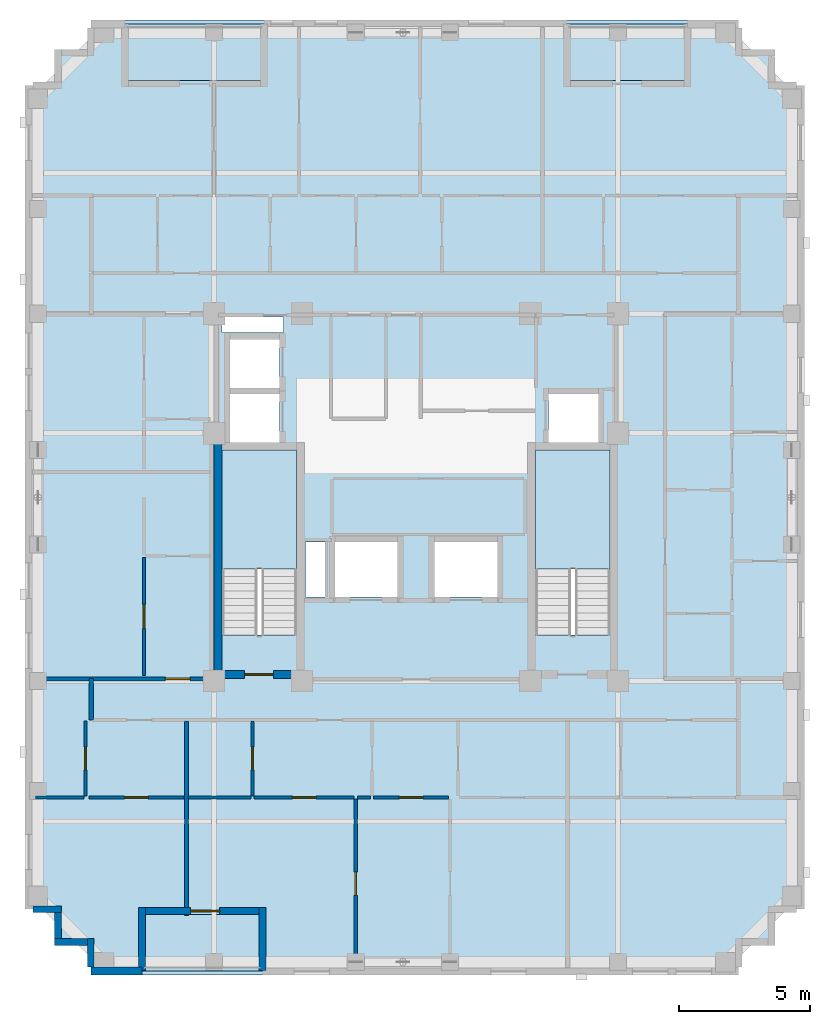
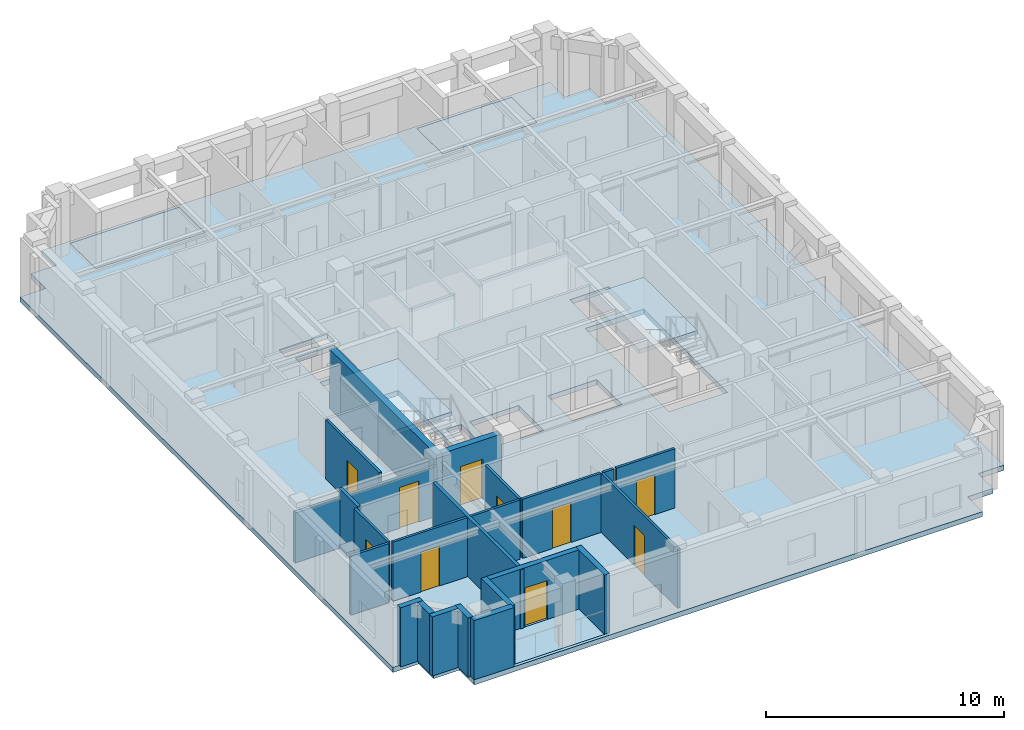
# One storey, part 2 of 10: 23 walls, 10 doors, 6 slabs, 10 openings, 2 elements without a shape of their own.
"""IFC4 building model written with IfcOpenShell, lengths in metres."""

from ifc_helpers import new_model, si_unit, derived_unit, direction, frame, frame_2d, origin, place, context, subcontext, project, spatial, polyline, rectangle, outline, extrude, material, layer, layer_set, type_object, element, fill, aggregate, save


model = new_model("IFC4")

# Units and contexts
model_context = context("Model", 3, precision=1e-05, world=origin(), true_north=direction((0.0, 1.0)))
body_context = subcontext(model_context, "Body", "Model", "MODEL_VIEW")
ifc_project = project(units=[si_unit("LENGTHUNIT", "METRE"), si_unit("AREAUNIT", "SQUARE_METRE"), si_unit("VOLUMEUNIT", "CUBIC_METRE"), si_unit("PLANEANGLEUNIT", "RADIAN"), si_unit("MASSUNIT", "GRAM", prefix="KILO"), derived_unit("THERMALTRANSMITTANCEUNIT", [(si_unit("MASSUNIT", "GRAM", prefix="KILO"), 1), (si_unit("TIMEUNIT", "SECOND"), -3), (si_unit("THERMODYNAMICTEMPERATUREUNIT", "KELVIN"), -1)])], contexts=[model_context])

# Site, building, storey
site_placement = place(None, origin())
site = spatial("IfcSite", under=ifc_project, at=site_placement, CompositionType="ELEMENT")
building_placement = place(site_placement, origin())
building = spatial("IfcBuilding", under=site, at=building_placement, Name="Korrvale Station Residences", CompositionType="ELEMENT")
storey_placement = place(building_placement, frame((0.0, 0.0, 207.39990234375)))
storey = spatial("IfcBuildingStorey", under=building, at=storey_placement, Name="L60", CompositionType="ELEMENT", Elevation=207.39990234375)

# Slabs
ifc_material_1 = material(Name="Concrete C50/60", Category="concrete")
ifc_layer_1 = layer(ifc_material_1, 0.219970703125, Name="Concrete C50/60")
ifc_layer_set_1 = layer_set([ifc_layer_1], Name="Concrete C50/60")
slab_type_1 = type_object("IfcSlabType", Name="SLB-BAL-220", PredefinedType="FLOOR", material=ifc_layer_set_1)
slab_1_placement = place(storey_placement, frame((0.0, 0.0, -0.219970703125)))
element("IfcSlab", 1, at=slab_1_placement, inside=storey, type_object=slab_type_1, Name="L60 Recessed Loggia Balcony Slab BAL-L60-S1", PredefinedType="FLOOR", context=body_context, shape_type="SweptSolid", body=[
    extrude(outline(polyline([(15.050048828125, 3.949951171875), (19.64990234375, 3.949951171875), (19.64990234375, 6.10009765625), (15.050048828125, 6.10009765625), (15.050048828125, 3.949951171875)])), origin(), (0.0, 0.0, 1.0), 0.219970703125),
])
slab_2_placement = place(storey_placement, frame((0.0, 0.0, -0.219970703125)))
element("IfcSlab", 2, at=slab_2_placement, inside=storey, type_object=slab_type_1, Name="L60 Recessed Loggia Balcony Slab BAL-L60-N1", PredefinedType="FLOOR", context=body_context, shape_type="SweptSolid", body=[
    extrude(outline(polyline([(31.25, 37.89990234375), (35.85009765625, 37.89990234375), (35.85009765625, 40.050048828125), (31.25, 40.050048828125), (31.25, 37.89990234375)])), origin(), (0.0, 0.0, 1.0), 0.219970703125),
])
slab_3_placement = place(storey_placement, frame((0.0, 0.0, -0.219970703125)))
element("IfcSlab", 3, at=slab_3_placement, inside=storey, type_object=slab_type_1, Name="L60 Recessed Loggia Balcony Slab BAL-L60-N2", PredefinedType="FLOOR", context=body_context, shape_type="SweptSolid", body=[
    extrude(outline(polyline([(14.39990234375, 37.89990234375), (19.699951171875, 37.89990234375), (19.699951171875, 40.050048828125), (14.39990234375, 40.050048828125), (14.39990234375, 37.89990234375)])), origin(), (0.0, 0.0, 1.0), 0.219970703125),
])
ifc_layer_2 = layer(ifc_material_1, 0.260009765625, Name="Concrete C50/60")
ifc_layer_set_2 = layer_set([ifc_layer_2], Name="Concrete C50/60")
slab_type_2 = type_object("IfcSlabType", Name="SLB-FLR-260", PredefinedType="FLOOR", material=ifc_layer_set_2)
slab_4_placement = place(storey_placement, frame((0.0, 0.0, -0.260009765625)))
element("IfcSlab", 4, at=slab_4_placement, inside=storey, type_object=slab_type_2, Name="L60 Suspended Structural Floor Slab", PredefinedType="FLOOR", context=body_context, shape_type="SweptSolid", body=[
    extrude(outline(polyline([(13.10009765625, 3.800048828125), (37.800048828125, 3.800048828125), (37.800048828125, 5.050048828125), (39.050048828125, 5.050048828125), (39.050048828125, 6.300048828125), (40.300048828125, 6.300048828125), (40.300048828125, 37.699951171875), (39.050048828125, 37.699951171875), (39.050048828125, 38.949951171875), (37.800048828125, 38.949951171875), (37.800048828125, 40.199951171875), (13.10009765625, 40.199951171875), (13.10009765625, 38.949951171875), (11.85009765625, 38.949951171875), (11.85009765625, 37.699951171875), (10.60009765625, 37.699951171875), (10.60009765625, 6.300048828125), (11.85009765625, 6.300048828125), (11.85009765625, 5.050048828125), (13.10009765625, 5.050048828125), (13.10009765625, 3.800048828125)]), holes=[polyline([(20.949951171875, 16.751953125), (20.949951171875, 23.800048828125), (18.10009765625, 23.800048828125), (18.10009765625, 16.751953125), (20.949951171875, 16.751953125)]), polyline([(32.89990234375, 16.751953125), (32.89990234375, 23.800048828125), (30.050048828125, 23.800048828125), (30.050048828125, 16.751953125), (32.89990234375, 16.751953125)]), polyline([(18.39990234375, 24.10009765625), (20.300048828125, 24.10009765625), (20.300048828125, 25.949951171875), (18.39990234375, 25.949951171875), (18.39990234375, 24.10009765625)]), polyline([(18.39990234375, 26.169921875), (20.300048828125, 26.169921875), (20.300048828125, 28.02001953125), (18.39990234375, 28.02001953125), (18.39990234375, 26.169921875)]), polyline([(30.550048828125, 24.10009765625), (32.449951171875, 24.10009765625), (32.449951171875, 25.949951171875), (30.550048828125, 25.949951171875), (30.550048828125, 24.10009765625)]), polyline([(22.39990234375, 18.199951171875), (24.800048828125, 18.199951171875), (24.800048828125, 20.300048828125), (22.39990234375, 20.300048828125), (22.39990234375, 18.199951171875)]), polyline([(26.199951171875, 18.199951171875), (28.60009765625, 18.199951171875), (28.60009765625, 20.300048828125), (26.199951171875, 20.300048828125), (26.199951171875, 18.199951171875)]), polyline([(18.10009765625, 28.280029296875), (20.449951171875, 28.280029296875), (20.449951171875, 28.8798828125), (18.10009765625, 28.8798828125), (18.10009765625, 28.280029296875)]), polyline([(21.280029296875, 18.199951171875), (22.02001953125, 18.199951171875), (22.02001953125, 20.300048828125), (21.280029296875, 20.300048828125), (21.280029296875, 18.199951171875)]), polyline([(15.050048828125, 3.949951171875), (19.64990234375, 3.949951171875), (19.64990234375, 6.10009765625), (15.050048828125, 6.10009765625), (15.050048828125, 3.949951171875)]), polyline([(31.25, 37.89990234375), (35.85009765625, 37.89990234375), (35.85009765625, 40.050048828125), (31.25, 40.050048828125), (31.25, 37.89990234375)]), polyline([(14.39990234375, 37.89990234375), (19.699951171875, 37.89990234375), (19.699951171875, 40.050048828125), (14.39990234375, 40.050048828125), (14.39990234375, 37.89990234375)])]), origin(), (0.0, 0.0, 1.0), 0.260009765625),
])

# Stair, slab
stair_type = type_object("IfcStairType", Name="STR-DL-1350-20R-1650", PredefinedType="HALF_TURN_STAIR", material=ifc_material_1)
stair_1_placement = place(storey_placement, origin())
stair_1 = element("IfcStair", 5, at=stair_1_placement, inside=storey, type_object=stair_type, Name="L60 Exit Stair 1", PredefinedType="HALF_TURN_STAIR")
ifc_layer_3 = layer(ifc_material_1, 0.199951171875, Name="Concrete C50/60")
ifc_layer_set_3 = layer_set([ifc_layer_3], Name="Concrete C50/60")
slab_type_3 = type_object("IfcSlabType", Name="SLB-LND-200", PredefinedType="LANDING", material=ifc_layer_set_3)
slab_5_placement = place(storey_placement, frame((0.0, 0.0, 1.4501953125)))
slab_5 = element("IfcSlab", 6, at=slab_5_placement, type_object=slab_type_3, Name="ST-1 landing 1", PredefinedType="LANDING", context=body_context, shape_type="SweptSolid", body=[
    extrude(outline(polyline([(20.949951171875, 19.27001953125), (20.949951171875, 23.800048828125), (18.10009765625, 23.800048828125), (18.10009765625, 19.27001953125), (20.949951171875, 19.27001953125)])), origin(), (0.0, 0.0, 1.0), 0.199951171875),
])
aggregate(stair_1, [slab_5])

stair_2_placement = place(storey_placement, origin())
stair_2 = element("IfcStair", 7, at=stair_2_placement, inside=storey, type_object=stair_type, Name="L60 Exit Stair 2", PredefinedType="HALF_TURN_STAIR")
slab_6_placement = place(storey_placement, frame((0.0, 0.0, 1.4501953125)))
slab_6 = element("IfcSlab", 8, at=slab_6_placement, type_object=slab_type_3, Name="ST-2 landing 1", PredefinedType="LANDING", context=body_context, shape_type="SweptSolid", body=[
    extrude(outline(polyline([(32.89990234375, 19.27001953125), (32.89990234375, 23.800048828125), (30.050048828125, 23.800048828125), (30.050048828125, 19.27001953125), (32.89990234375, 19.27001953125)])), origin(), (0.0, 0.0, 1.0), 0.199951171875),
])
aggregate(stair_2, [slab_6])

# Wall
ifc_layer_4 = layer(ifc_material_1, 0.300048828125, Name="Concrete C50/60")
ifc_layer_set_4 = layer_set([ifc_layer_4], Name="Concrete C50/60")
wall_type_1 = type_object("IfcWallType", Name="WAL-CORE-300-C50", PredefinedType="SHEAR", material=ifc_layer_set_4)
wall_1_placement = place(storey_placement, frame((17.949951171875, 15.10009765625, 0.0), z_axis=(0.0, 0.0, 1.0), x_axis=(0.0, 1.0, 0.0)))
element("IfcWall", 9, at=wall_1_placement, inside=storey, type_object=wall_type_1, Name="L60 ST-1 Core Shear Wall West", PredefinedType="SHEAR", context=body_context, shape_type="SweptSolid", body=[
    extrude(rectangle(XDim=9.0, YDim=0.300048828125, at=frame_2d((4.5, 0.0))), origin(), (0.0, 0.0, 1.0), 3.0400390625),
])

# Wall, opening, door
wall_2_placement = place(storey_placement, frame((18.10009765625, 15.25, 0.0), z_axis=(0.0, 0.0, 1.0), x_axis=(1.0, 0.0, 0.0)))
wall_2 = element("IfcWall", 10, at=wall_2_placement, inside=storey, type_object=wall_type_1, Name="L60 ST-1 Core Shear Wall South", PredefinedType="SHEAR", context=body_context, shape_type="SweptSolid", body=[
    extrude(rectangle(XDim=2.849853515625, YDim=0.300048828125, at=frame_2d((1.4248046875, 0.0))), origin(), (0.0, 0.0, 1.0), 3.0400390625),
])
opening_1_placement = place(wall_2_placement, frame((0.860107421875, 0.0, 0.0)))
opening_1 = element("IfcOpeningElement", 11, at=opening_1_placement, cuts=wall_2, Name="Opening SD-1100", PredefinedType="OPENING", context=body_context, shape_type="SweptSolid", body=[
    extrude(rectangle(XDim=1.10009765625, YDim=2.050048828125, at=frame_2d((0.550048828125, 1.02490234375))), frame((0.0, 0.16015625, 0.0), z_axis=(0.0, -1.0, 0.0), x_axis=(1.0, 0.0, 0.0)), (0.0, 0.0, 1.0), 0.320068359375),
])
ifc_material_2 = material(Name="Hollow-metal fire-rated stair door with closer", Category="steel")
door_type_1 = type_object("IfcDoorType", Name="DR-STAIR-1100", OperationType="NOTDEFINED", PredefinedType="DOOR", material=ifc_material_2)
door_1_placement = place(opening_1_placement, origin())
door_1 = element("IfcDoor", 12, at=door_1_placement, inside=storey, type_object=door_type_1, Name="L60 ST-1 Exit Stair Door", OperationType="SINGLE_SWING_LEFT", OverallHeight=2.050048828125, OverallWidth=1.10009765625, PredefinedType="DOOR", context=body_context, shape_type="SweptSolid", body=[
    extrude(rectangle(XDim=1.10009765625, YDim=2.050048828125, at=frame_2d((0.550048828125, 1.02490234375))), frame((0.0, 0.02490234375, 0.0), z_axis=(0.0, -1.0, 0.0), x_axis=(1.0, 0.0, 0.0)), (0.0, 0.0, 1.0), 0.050048828125),
])
fill(opening_1, door_1)

# Wall
ifc_material_3 = material(Name="Precast concrete C45/55", Category="concrete")
ifc_layer_5 = layer(ifc_material_3, 0.260009765625, Name="Precast concrete C45/55")
ifc_layer_set_5 = layer_set([ifc_layer_5], Name="Precast concrete C45/55")
wall_type_2 = type_object("IfcWallType", Name="WAL-EXT-LOG260", PredefinedType="SOLIDWALL", material=ifc_layer_set_5)
wall_3_placement = place(storey_placement, frame((19.64990234375, 3.9599609375, 0.0), z_axis=(0.0, 0.0, 1.0), x_axis=(0.0, 1.0, 0.0)))
element("IfcWall", 13, at=wall_3_placement, inside=storey, type_object=wall_type_2, Name="L60 Recessed Loggia Wall BAL-L60-S1-L", PredefinedType="SOLIDWALL", context=body_context, shape_type="SweptSolid", body=[
    extrude(rectangle(XDim=2.400146484375, YDim=0.260009765625, at=frame_2d((1.2001953125, 0.0))), origin(), (0.0, 0.0, 1.0), 3.0400390625),
])

# Wall, opening, door
wall_4_placement = place(storey_placement, frame((19.51611328125, 6.22998046875, 0.0), z_axis=(0.0, 0.0, 1.0), x_axis=(-1.0, 0.0, 0.0)))
wall_4 = element("IfcWall", 14, at=wall_4_placement, inside=storey, type_object=wall_type_2, Name="L60 Recessed Loggia Wall BAL-L60-S1-B", PredefinedType="SOLIDWALL", context=body_context, shape_type="SweptSolid", body=[
    extrude(rectangle(XDim=4.33203125, YDim=0.260009765625, at=frame_2d((2.166015625, 0.0))), origin(), (0.0, 0.0, 1.0), 3.0400390625),
])
opening_2_placement = place(wall_4_placement, frame((1.510009765625, 0.0, 0.0)))
opening_2 = element("IfcOpeningElement", 15, at=opening_2_placement, cuts=wall_4, Name="Opening BD-01", PredefinedType="OPENING", context=body_context, shape_type="SweptSolid", body=[
    extrude(rectangle(XDim=1.10009765625, YDim=2.0, at=frame_2d((0.550048828125, 1.0))), frame((0.0, 0.14013671875, 0.0), z_axis=(0.0, -1.0, 0.0), x_axis=(1.0, 0.0, 0.0)), (0.0, 0.0, 1.0), 0.280029296875),
])
ifc_material_4 = material(Name="Exterior thermally broken aluminium glazed balcony door", Category="aluminium")
door_type_2 = type_object("IfcDoorType", Name="DR-EXT-BAL", OperationType="NOTDEFINED", PredefinedType="DOOR", material=ifc_material_4)
door_2_placement = place(opening_2_placement, origin())
door_2 = element("IfcDoor", 16, at=door_2_placement, inside=storey, type_object=door_type_2, Name="L60 Loggia Balcony Door BAL-L60-S1", OperationType="SINGLE_SWING_LEFT", OverallHeight=2.0, OverallWidth=1.10009765625, PredefinedType="DOOR", context=body_context, shape_type="SweptSolid", body=[
    extrude(rectangle(XDim=1.10009765625, YDim=2.0, at=frame_2d((0.550048828125, 1.0))), frame((0.0, 0.02490234375, 0.0), z_axis=(0.0, -1.0, 0.0), x_axis=(1.0, 0.0, 0.0)), (0.0, 0.0, 1.0), 0.050048828125),
])
fill(opening_2, door_2)

# Walls
wall_5_placement = place(storey_placement, frame((15.050048828125, 6.360107421875, 0.0), z_axis=(0.0, 0.0, 1.0), x_axis=(0.0, -1.0, 0.0)))
element("IfcWall", 17, at=wall_5_placement, inside=storey, type_object=wall_type_2, Name="L60 Recessed Loggia Wall BAL-L60-S1-R", PredefinedType="SOLIDWALL", context=body_context, shape_type="SweptSolid", body=[
    extrude(rectangle(XDim=2.400146484375, YDim=0.260009765625, at=frame_2d((1.2001953125, 0.0))), origin(), (0.0, 0.0, 1.0), 3.0400390625),
])
wall_6_placement = place(storey_placement, frame((13.10009765625, 4.10205078125, 0.0), z_axis=(0.0, 0.0, 1.0), x_axis=(0.0, 1.0, 0.0)))
element("IfcWall", 18, at=wall_6_placement, inside=storey, type_object=wall_type_2, Name="L60 Serrated Corner Precast Step SW-1", PredefinedType="SOLIDWALL", context=body_context, shape_type="SweptSolid", body=[
    extrude(rectangle(XDim=1.077880859375, YDim=0.260009765625, at=frame_2d((0.5390625, 0.0))), origin(), (0.0, 0.0, 1.0), 3.0400390625),
])
wall_7_placement = place(storey_placement, frame((12.968017578125, 5.050048828125, 0.0), z_axis=(0.0, 0.0, 1.0), x_axis=(-1.0, 0.0, 0.0)))
element("IfcWall", 19, at=wall_7_placement, inside=storey, type_object=wall_type_2, Name="L60 Serrated Corner Precast Step SW-2", PredefinedType="SOLIDWALL", context=body_context, shape_type="SweptSolid", body=[
    extrude(rectangle(XDim=1.248046875, YDim=0.260009765625, at=frame_2d((0.6240234375, 0.0))), origin(), (0.0, 0.0, 1.0), 3.0400390625),
])
wall_8_placement = place(storey_placement, frame((11.85009765625, 5.181884765625, 0.0), z_axis=(0.0, 0.0, 1.0), x_axis=(0.0, 1.0, 0.0)))
element("IfcWall", 20, at=wall_8_placement, inside=storey, type_object=wall_type_2, Name="L60 Serrated Corner Precast Step SW-3", PredefinedType="SOLIDWALL", context=body_context, shape_type="SweptSolid", body=[
    extrude(rectangle(XDim=0.986083984375, YDim=0.260009765625, at=frame_2d((0.4931640625, 0.0))), origin(), (0.0, 0.0, 1.0), 3.0400390625),
])
wall_9_placement = place(storey_placement, frame((11.97998046875, 6.300048828125, 0.0), z_axis=(0.0, 0.0, 1.0), x_axis=(-1.0, 0.0, 0.0)))
element("IfcWall", 21, at=wall_9_placement, inside=storey, type_object=wall_type_2, Name="L60 Serrated Corner Precast Step SW-4", PredefinedType="SOLIDWALL", context=body_context, shape_type="SweptSolid", body=[
    extrude(rectangle(XDim=1.077880859375, YDim=0.260009765625, at=frame_2d((0.5390625, 0.0))), origin(), (0.0, 0.0, 1.0), 3.0400390625),
])
ifc_layer_6 = layer(ifc_material_3, 0.300048828125, Name="Precast concrete C45/55")
ifc_layer_set_6 = layer_set([ifc_layer_6], Name="Precast concrete C45/55")
wall_type_3 = type_object("IfcWallType", Name="WAL-EXT-PC300", PredefinedType="SOLIDWALL", material=ifc_layer_set_6)
wall_10_placement = place(storey_placement, frame((15.050048828125, 3.949951171875, 0.0), z_axis=(0.0, 0.0, 1.0), x_axis=(-1.0, 0.0, 0.0)))
element("IfcWall", 22, at=wall_10_placement, inside=storey, type_object=wall_type_3, Name="L60 South Exterior Precast Wall 2", PredefinedType="SOLIDWALL", context=body_context, shape_type="SweptSolid", body=[
    extrude(rectangle(XDim=1.949951171875, YDim=0.300048828125, at=frame_2d((0.97509765625, 0.0))), origin(), (0.0, 0.0, 1.0), 3.0400390625),
])

# Wall, opening, door
ifc_material_5 = material(Name="Acoustic steel-stud gypsum board partition", Category="steel")
ifc_layer_7 = layer(ifc_material_5, 0.1201171875, Name="Acoustic steel-stud gypsum board partition")
ifc_layer_set_7 = layer_set([ifc_layer_7], Name="Acoustic steel-stud gypsum board partition")
wall_type_4 = type_object("IfcWallType", Name="WAL-PART-125", PredefinedType="PARTITIONING", material=ifc_layer_set_7)
wall_11_placement = place(storey_placement, frame((12.89990234375, 10.6201171875, 0.0), z_axis=(0.0, 0.0, 1.0), x_axis=(0.0, 1.0, 0.0)))
wall_11 = element("IfcWall", 23, at=wall_11_placement, inside=storey, type_object=wall_type_4, Name="L60 Suite Partition U01-V01", PredefinedType="PARTITIONING", context=body_context, shape_type="SweptSolid", body=[
    extrude(rectangle(XDim=2.849853515625, YDim=0.1201171875, at=frame_2d((1.4248046875, 0.0))), origin(), (0.0, 0.0, 1.0), 3.0400390625),
])
opening_3_placement = place(wall_11_placement, frame((0.9951171875, 0.0, 0.0)))
opening_3 = element("IfcOpeningElement", 24, at=opening_3_placement, cuts=wall_11, Name="Opening DB-860", PredefinedType="OPENING", context=body_context, shape_type="SweptSolid", body=[
    extrude(rectangle(XDim=0.860107421875, YDim=2.050048828125, at=frame_2d((0.43017578125, 1.02490234375))), frame((0.0, 0.070068359375, 0.0), z_axis=(0.0, -1.0, 0.0), x_axis=(1.0, 0.0, 0.0)), (0.0, 0.0, 1.0), 0.14013671875),
])
ifc_material_6 = material(Name="Moisture-resistant solid-core bathroom door", Category="timber")
door_type_3 = type_object("IfcDoorType", Name="DR-BATH-860", OperationType="NOTDEFINED", PredefinedType="DOOR", material=ifc_material_6)
door_3_placement = place(opening_3_placement, origin())
door_3 = element("IfcDoor", 25, at=door_3_placement, inside=storey, type_object=door_type_3, Name="L60 Studio Apartment L60-U01 Bathroom Door", OperationType="SINGLE_SWING_LEFT", OverallHeight=2.050048828125, OverallWidth=0.860107421875, PredefinedType="DOOR", context=body_context, shape_type="SweptSolid", body=[
    extrude(rectangle(XDim=0.860107421875, YDim=2.050048828125, at=frame_2d((0.43017578125, 1.02490234375))), frame((0.0, 0.02490234375, 0.0), z_axis=(0.0, -1.0, 0.0), x_axis=(1.0, 0.0, 0.0)), (0.0, 0.0, 1.0), 0.050048828125),
])
fill(opening_3, door_3)

# Wall
wall_12_placement = place(storey_placement, frame((10.989990234375, 10.56005859375, 0.0), z_axis=(0.0, 0.0, 1.0), x_axis=(1.0, 0.0, 0.0)))
element("IfcWall", 26, at=wall_12_placement, inside=storey, type_object=wall_type_4, Name="L60 Suite Partition U01-H02", PredefinedType="PARTITIONING", context=body_context, shape_type="SweptSolid", body=[
    extrude(rectangle(XDim=1.85009765625, YDim=0.1201171875, at=frame_2d((0.925048828125, 0.0))), origin(), (0.0, 0.0, 1.0), 3.0400390625),
])

# Wall, opening, door
wall_13_placement = place(storey_placement, frame((13.030029296875, 10.56005859375, 0.0), z_axis=(0.0, 0.0, 1.0), x_axis=(1.0, 0.0, 0.0)))
wall_13 = element("IfcWall", 27, at=wall_13_placement, inside=storey, type_object=wall_type_4, Name="L60 Suite Partition U01-H12", PredefinedType="PARTITIONING", context=body_context, shape_type="SweptSolid", body=[
    extrude(rectangle(XDim=3.615966796875, YDim=0.1201171875, at=frame_2d((1.80810546875, 0.0))), origin(), (0.0, 0.0, 1.0), 3.0400390625),
])
opening_4_placement = place(wall_13_placement, frame((1.35791015625, 0.0, 0.0)))
opening_4 = element("IfcOpeningElement", 28, at=opening_4_placement, cuts=wall_13, Name="Opening DI-900", PredefinedType="OPENING", context=body_context, shape_type="SweptSolid", body=[
    extrude(rectangle(XDim=0.89990234375, YDim=2.050048828125, at=frame_2d((0.449951171875, 1.02490234375))), frame((0.0, 0.070068359375, 0.0), z_axis=(0.0, -1.0, 0.0), x_axis=(1.0, 0.0, 0.0)), (0.0, 0.0, 1.0), 0.14013671875),
])
ifc_material_7 = material(Name="Painted solid-core timber interior room door", Category="wood")
door_type_4 = type_object("IfcDoorType", Name="DR-INT-900", OperationType="NOTDEFINED", PredefinedType="DOOR", material=ifc_material_7)
door_4_placement = place(opening_4_placement, origin())
door_4 = element("IfcDoor", 29, at=door_4_placement, inside=storey, type_object=door_type_4, Name="L60 Studio Apartment L60-U01 Kitchen Door", OperationType="SINGLE_SWING_RIGHT", OverallHeight=2.050048828125, OverallWidth=0.89990234375, PredefinedType="DOOR", context=body_context, shape_type="SweptSolid", body=[
    extrude(rectangle(XDim=0.89990234375, YDim=2.050048828125, at=frame_2d((0.449951171875, 1.02490234375))), frame((0.0, 0.02490234375, 0.0), z_axis=(0.0, -1.0, 0.0), x_axis=(1.0, 0.0, 0.0)), (0.0, 0.0, 1.0), 0.050048828125),
])
fill(opening_4, door_4)

wall_14_placement = place(storey_placement, frame((19.26611328125, 10.6201171875, 0.0), z_axis=(0.0, 0.0, 1.0), x_axis=(0.0, 1.0, 0.0)))
wall_14 = element("IfcWall", 30, at=wall_14_placement, inside=storey, type_object=wall_type_4, Name="L60 Suite Partition U02-V01", PredefinedType="PARTITIONING", context=body_context, shape_type="SweptSolid", body=[
    extrude(rectangle(XDim=2.849853515625, YDim=0.1201171875, at=frame_2d((1.4248046875, 0.0))), origin(), (0.0, 0.0, 1.0), 3.0400390625),
])
opening_5_placement = place(wall_14_placement, frame((0.9951171875, 0.0, 0.0)))
opening_5 = element("IfcOpeningElement", 31, at=opening_5_placement, cuts=wall_14, Name="Opening DB-860", PredefinedType="OPENING", context=body_context, shape_type="SweptSolid", body=[
    extrude(rectangle(XDim=0.860107421875, YDim=2.050048828125, at=frame_2d((0.43017578125, 1.02490234375))), frame((0.0, 0.070068359375, 0.0), z_axis=(0.0, -1.0, 0.0), x_axis=(1.0, 0.0, 0.0)), (0.0, 0.0, 1.0), 0.14013671875),
])
door_5_placement = place(opening_5_placement, origin())
door_5 = element("IfcDoor", 32, at=door_5_placement, inside=storey, type_object=door_type_3, Name="L60 Apartment 1BR L60-U02 Bathroom Door", OperationType="SINGLE_SWING_LEFT", OverallHeight=2.050048828125, OverallWidth=0.860107421875, PredefinedType="DOOR", context=body_context, shape_type="SweptSolid", body=[
    extrude(rectangle(XDim=0.860107421875, YDim=2.050048828125, at=frame_2d((0.43017578125, 1.02490234375))), frame((0.0, 0.02490234375, 0.0), z_axis=(0.0, -1.0, 0.0), x_axis=(1.0, 0.0, 0.0)), (0.0, 0.0, 1.0), 0.050048828125),
])
fill(opening_5, door_5)

# Wall
wall_15_placement = place(storey_placement, frame((16.805908203125, 10.56005859375, 0.0), z_axis=(0.0, 0.0, 1.0), x_axis=(1.0, 0.0, 0.0)))
element("IfcWall", 33, at=wall_15_placement, inside=storey, type_object=wall_type_4, Name="L60 Suite Partition U02-H04", PredefinedType="PARTITIONING", context=body_context, shape_type="SweptSolid", body=[
    extrude(rectangle(XDim=2.400146484375, YDim=0.1201171875, at=frame_2d((1.2001953125, 0.0))), origin(), (0.0, 0.0, 1.0), 3.0400390625),
])

# Wall, opening, door
wall_16_placement = place(storey_placement, frame((19.325927734375, 10.56005859375, 0.0), z_axis=(0.0, 0.0, 1.0), x_axis=(1.0, 0.0, 0.0)))
wall_16 = element("IfcWall", 34, at=wall_16_placement, inside=storey, type_object=wall_type_4, Name="L60 Suite Partition U02-H14", PredefinedType="PARTITIONING", context=body_context, shape_type="SweptSolid", body=[
    extrude(rectangle(XDim=3.81396484375, YDim=0.1201171875, at=frame_2d((1.906982421875, 0.0))), origin(), (0.0, 0.0, 1.0), 3.0400390625),
])
opening_6_placement = place(wall_16_placement, frame((1.45703125, 0.0, 0.0)))
opening_6 = element("IfcOpeningElement", 35, at=opening_6_placement, cuts=wall_16, Name="Opening DI-900", PredefinedType="OPENING", context=body_context, shape_type="SweptSolid", body=[
    extrude(rectangle(XDim=0.89990234375, YDim=2.050048828125, at=frame_2d((0.449951171875, 1.02490234375))), frame((0.0, 0.070068359375, 0.0), z_axis=(0.0, -1.0, 0.0), x_axis=(1.0, 0.0, 0.0)), (0.0, 0.0, 1.0), 0.14013671875),
])
door_6_placement = place(opening_6_placement, origin())
door_6 = element("IfcDoor", 36, at=door_6_placement, inside=storey, type_object=door_type_4, Name="L60 Apartment 1BR L60-U02 Kitchen Door", OperationType="SINGLE_SWING_LEFT", OverallHeight=2.050048828125, OverallWidth=0.89990234375, PredefinedType="DOOR", context=body_context, shape_type="SweptSolid", body=[
    extrude(rectangle(XDim=0.89990234375, YDim=2.050048828125, at=frame_2d((0.449951171875, 1.02490234375))), frame((0.0, 0.02490234375, 0.0), z_axis=(0.0, -1.0, 0.0), x_axis=(1.0, 0.0, 0.0)), (0.0, 0.0, 1.0), 0.050048828125),
])
fill(opening_6, door_6)

# Wall
wall_17_placement = place(storey_placement, frame((23.260009765625, 10.56005859375, 0.0), z_axis=(0.0, 0.0, 1.0), x_axis=(1.0, 0.0, 0.0)))
element("IfcWall", 37, at=wall_17_placement, inside=storey, type_object=wall_type_4, Name="L60 Suite Partition U02-H15", PredefinedType="PARTITIONING", context=body_context, shape_type="SweptSolid", body=[
    extrude(rectangle(XDim=0.506103515625, YDim=0.1201171875, at=frame_2d((0.2529296875, 0.0))), origin(), (0.0, 0.0, 1.0), 3.0400390625),
])

# Wall, opening, door
wall_18_placement = place(storey_placement, frame((23.885986328125, 10.56005859375, 0.0), z_axis=(0.0, 0.0, 1.0), x_axis=(1.0, 0.0, 0.0)))
wall_18 = element("IfcWall", 38, at=wall_18_placement, inside=storey, type_object=wall_type_4, Name="L60 Suite Partition U02-H25", PredefinedType="PARTITIONING", context=body_context, shape_type="SweptSolid", body=[
    extrude(rectangle(XDim=2.85400390625, YDim=0.1201171875, at=frame_2d((1.427001953125, 0.0))), origin(), (0.0, 0.0, 1.0), 3.0400390625),
])
opening_7_placement = place(wall_18_placement, frame((0.97705078125, 0.0, 0.0)))
opening_7 = element("IfcOpeningElement", 39, at=opening_7_placement, cuts=wall_18, Name="Opening DI-900", PredefinedType="OPENING", context=body_context, shape_type="SweptSolid", body=[
    extrude(rectangle(XDim=0.89990234375, YDim=2.050048828125, at=frame_2d((0.449951171875, 1.02490234375))), frame((0.0, 0.070068359375, 0.0), z_axis=(0.0, -1.0, 0.0), x_axis=(1.0, 0.0, 0.0)), (0.0, 0.0, 1.0), 0.14013671875),
])
door_7_placement = place(opening_7_placement, origin())
door_7 = element("IfcDoor", 40, at=door_7_placement, inside=storey, type_object=door_type_4, Name="L60 Apartment 1BR L60-U02 Home Study Room Door", OperationType="SINGLE_SWING_LEFT", OverallHeight=2.050048828125, OverallWidth=0.89990234375, PredefinedType="DOOR", context=body_context, shape_type="SweptSolid", body=[
    extrude(rectangle(XDim=0.89990234375, YDim=2.050048828125, at=frame_2d((0.449951171875, 1.02490234375))), frame((0.0, 0.02490234375, 0.0), z_axis=(0.0, -1.0, 0.0), x_axis=(1.0, 0.0, 0.0)), (0.0, 0.0, 1.0), 0.050048828125),
])
fill(opening_7, door_7)

wall_19_placement = place(storey_placement, frame((23.199951171875, 4.080078125, 0.0), z_axis=(0.0, 0.0, 1.0), x_axis=(0.0, 1.0, 0.0)))
wall_19 = element("IfcWall", 41, at=wall_19_placement, inside=storey, type_object=wall_type_4, Name="L60 Suite Partition U02-V45", PredefinedType="PARTITIONING", context=body_context, shape_type="SweptSolid", body=[
    extrude(rectangle(XDim=6.419921875, YDim=0.1201171875, at=frame_2d((3.2099609375, 0.0))), origin(), (0.0, 0.0, 1.0), 3.0400390625),
])
opening_8_placement = place(wall_19_placement, frame((2.7451171875, 0.0, 0.0)))
opening_8 = element("IfcOpeningElement", 42, at=opening_8_placement, cuts=wall_19, Name="Opening DI-900", PredefinedType="OPENING", context=body_context, shape_type="SweptSolid", body=[
    extrude(rectangle(XDim=0.89990234375, YDim=2.050048828125, at=frame_2d((0.449951171875, 1.02490234375))), frame((0.0, 0.070068359375, 0.0), z_axis=(0.0, -1.0, 0.0), x_axis=(1.0, 0.0, 0.0)), (0.0, 0.0, 1.0), 0.14013671875),
])
door_8_placement = place(opening_8_placement, origin())
door_8 = element("IfcDoor", 43, at=door_8_placement, inside=storey, type_object=door_type_4, Name="L60 Apartment 1BR L60-U02 Living and Dining Room Door", OperationType="SINGLE_SWING_LEFT", OverallHeight=2.050048828125, OverallWidth=0.89990234375, PredefinedType="DOOR", context=body_context, shape_type="SweptSolid", body=[
    extrude(rectangle(XDim=0.89990234375, YDim=2.050048828125, at=frame_2d((0.449951171875, 1.02490234375))), frame((0.0, 0.02490234375, 0.0), z_axis=(0.0, -1.0, 0.0), x_axis=(1.0, 0.0, 0.0)), (0.0, 0.0, 1.0), 0.050048828125),
])
fill(opening_8, door_8)

wall_20_placement = place(storey_placement, frame((15.1298828125, 15.2099609375, 0.0), z_axis=(0.0, 0.0, 1.0), x_axis=(0.0, 1.0, 0.0)))
wall_20 = element("IfcWall", 44, at=wall_20_placement, inside=storey, type_object=wall_type_4, Name="L60 Suite Partition U06-V12", PredefinedType="PARTITIONING", context=body_context, shape_type="SweptSolid", body=[
    extrude(rectangle(XDim=4.5, YDim=0.1201171875, at=frame_2d((2.25, 0.0))), origin(), (0.0, 0.0, 1.0), 3.0400390625),
])
opening_9_placement = place(wall_20_placement, frame((1.800048828125, 0.0, 0.0)))
opening_9 = element("IfcOpeningElement", 45, at=opening_9_placement, cuts=wall_20, Name="Opening DI-900", PredefinedType="OPENING", context=body_context, shape_type="SweptSolid", body=[
    extrude(rectangle(XDim=0.89990234375, YDim=2.050048828125, at=frame_2d((0.449951171875, 1.02490234375))), frame((0.0, 0.070068359375, 0.0), z_axis=(0.0, -1.0, 0.0), x_axis=(1.0, 0.0, 0.0)), (0.0, 0.0, 1.0), 0.14013671875),
])
door_9_placement = place(opening_9_placement, origin())
door_9 = element("IfcDoor", 46, at=door_9_placement, inside=storey, type_object=door_type_4, Name="L60 Apartment 1BR L60-U06 Kitchen Door", OperationType="SINGLE_SWING_LEFT", OverallHeight=2.050048828125, OverallWidth=0.89990234375, PredefinedType="DOOR", context=body_context, shape_type="SweptSolid", body=[
    extrude(rectangle(XDim=0.89990234375, YDim=2.050048828125, at=frame_2d((0.449951171875, 1.02490234375))), frame((0.0, 0.02490234375, 0.0), z_axis=(0.0, -1.0, 0.0), x_axis=(1.0, 0.0, 0.0)), (0.0, 0.0, 1.0), 0.050048828125),
])
fill(opening_9, door_9)

# Walls
ifc_material_8 = material(Name="Fire-rated twin-stud gypsum and mineral wool shaftwall assembly", Category="gypsum")
ifc_layer_8 = layer(ifc_material_8, 0.159912109375, Name="Fire-rated twin-stud gypsum and mineral wool shaftwall assembly")
ifc_layer_set_8 = layer_set([ifc_layer_8], Name="Fire-rated twin-stud gypsum and mineral wool shaftwall assembly")
wall_type_5 = type_object("IfcWallType", Name="WAL-PART-200", PredefinedType="PARTITIONING", material=ifc_layer_set_8)
wall_21_placement = place(storey_placement, frame((13.1201171875, 13.510009765625, 0.0), z_axis=(0.0, 0.0, 1.0), x_axis=(0.0, 1.0, 0.0)))
element("IfcWall", 47, at=wall_21_placement, inside=storey, type_object=wall_type_5, Name="L60 Corridor South West Cap", PredefinedType="PARTITIONING", context=body_context, shape_type="SweptSolid", body=[
    extrude(rectangle(XDim=1.580078125, YDim=0.159912109375, at=frame_2d((0.7900390625, 0.0))), origin(), (0.0, 0.0, 1.0), 3.0400390625),
])
wall_22_placement = place(storey_placement, frame((16.74609375, 6.06005859375, 0.0), z_axis=(0.0, 0.0, 1.0), x_axis=(0.0, 1.0, 0.0)))
element("IfcWall", 48, at=wall_22_placement, inside=storey, type_object=wall_type_5, Name="L60 Demising Wall U02-W", PredefinedType="PARTITIONING", context=body_context, shape_type="SweptSolid", body=[
    extrude(rectangle(XDim=7.409912109375, YDim=0.159912109375, at=frame_2d((3.705078125, 0.0))), origin(), (0.0, 0.0, 1.0), 3.0400390625),
])

# Wall, opening, door
wall_23_placement = place(storey_placement, frame((10.8798828125, 15.080078125, 0.0), z_axis=(0.0, 0.0, 1.0), x_axis=(1.0, 0.0, 0.0)))
wall_23 = element("IfcWall", 49, at=wall_23_placement, inside=storey, type_object=wall_type_5, Name="L60 Side Suite South Entry Wall U06", PredefinedType="PARTITIONING", context=body_context, shape_type="SweptSolid", body=[
    extrude(rectangle(XDim=6.880126953125, YDim=0.159912109375, at=frame_2d((3.43994140625, 0.0))), origin(), (0.0, 0.0, 1.0), 2.55615234375),
])
opening_10_placement = place(wall_23_placement, frame((5.06005859375, 0.0, 0.0)))
opening_10 = element("IfcOpeningElement", 50, at=opening_10_placement, cuts=wall_23, Name="Opening UD-950", PredefinedType="OPENING", context=body_context, shape_type="SweptSolid", body=[
    extrude(rectangle(XDim=0.949951171875, YDim=2.10009765625, at=frame_2d((0.47509765625, 1.050048828125))), frame((0.0, 0.08984375, 0.0), z_axis=(0.0, -1.0, 0.0), x_axis=(1.0, 0.0, 0.0)), (0.0, 0.0, 1.0), 0.179931640625),
])
ifc_material_9 = material(Name="Solid-core acoustic oak apartment entrance door", Category="timber")
door_type_5 = type_object("IfcDoorType", Name="DR-UNIT-950", OperationType="NOTDEFINED", PredefinedType="DOOR", material=ifc_material_9)
door_10_placement = place(opening_10_placement, origin())
door_10 = element("IfcDoor", 51, at=door_10_placement, inside=storey, type_object=door_type_5, Name="L60 Apartment L60-U06 Entrance Door", OperationType="SINGLE_SWING_LEFT", OverallHeight=2.10009765625, OverallWidth=0.949951171875, PredefinedType="DOOR", context=body_context, shape_type="SweptSolid", body=[
    extrude(rectangle(XDim=0.949951171875, YDim=2.10009765625, at=frame_2d((0.47509765625, 1.050048828125))), frame((0.0, 0.02490234375, 0.0), z_axis=(0.0, -1.0, 0.0), x_axis=(1.0, 0.0, 0.0)), (0.0, 0.0, 1.0), 0.050048828125),
])
fill(opening_10, door_10)

save(model, "model.ifc")
